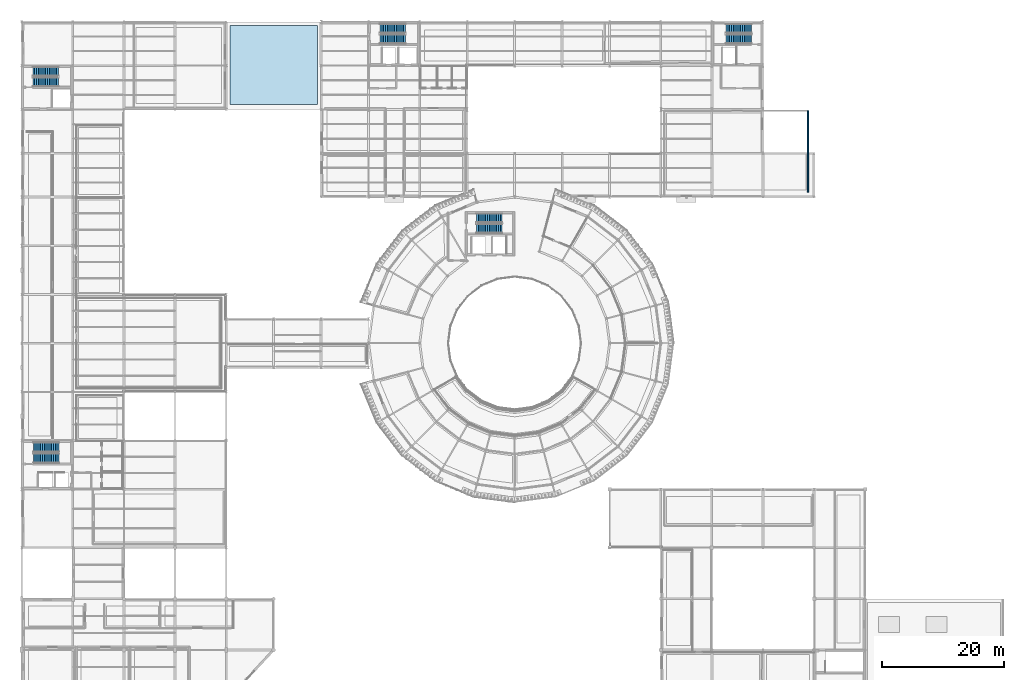
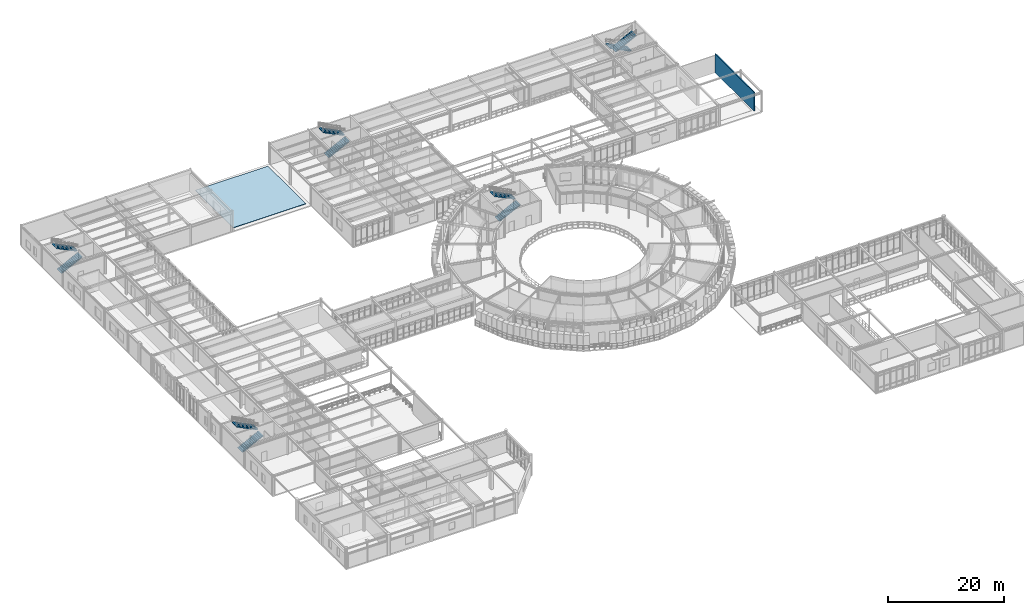
# One storey, part 93 of 106: 10 stair flights, 1 roof, 1 wall, 5 elements without a shape of their own.
"""IFC4 building model written with IfcOpenShell, lengths in metres."""

from ifc_helpers import new_model, si_unit, derived_unit, direction, frame, frame_2d, origin, place, context, subcontext, project, spatial, polyline, rectangle, outline, extrude, material, layer, layer_set, type_object, element, aggregate, save


model = new_model("IFC4")

# Units and contexts
model_context = context("Model", 3, precision=1e-05, world=origin(), true_north=direction((0.0, 1.0)))
body_context = subcontext(model_context, "Body", "Model", "MODEL_VIEW")
ifc_project = project(units=[si_unit("LENGTHUNIT", "METRE"), si_unit("AREAUNIT", "SQUARE_METRE"), si_unit("VOLUMEUNIT", "CUBIC_METRE"), si_unit("PLANEANGLEUNIT", "RADIAN"), si_unit("MASSUNIT", "GRAM", prefix="KILO"), derived_unit("THERMALTRANSMITTANCEUNIT", [(si_unit("POWERUNIT", "WATT"), 1), (si_unit("AREAUNIT", "SQUARE_METRE"), -1), (si_unit("THERMODYNAMICTEMPERATUREUNIT", "KELVIN"), -1)])], contexts=[model_context])

# Site, building, storey
site_placement = place(None, origin())
site = spatial("IfcSite", under=ifc_project, at=site_placement, CompositionType="ELEMENT")
building_placement = place(site_placement, origin())
building = spatial("IfcBuilding", under=site, at=building_placement, Name="Yasenodar Specialist Clinic", CompositionType="ELEMENT")
storey_placement = place(building_placement, frame((0.0, 0.0, 4.5)))
storey = spatial("IfcBuildingStorey", under=building, at=storey_placement, Name="L01", CompositionType="ELEMENT", Elevation=4.5)

# Wall
ifc_material_1 = material(Name="Hygienic Double-Stud Clinical Partition")
ifc_layer = layer(ifc_material_1, 0.179931640625)
ifc_layer_set = layer_set([ifc_layer], Name="Hygienic Double-Stud Clinical Partition")
wall_type = type_object("IfcWallType", Name="IW-PROC-180", PredefinedType="PARTITIONING", material=ifc_layer_set)
wall_placement = place(storey_placement, frame((129.199951171875, 97.0, 0.0), z_axis=(0.0, 0.0, 1.0), x_axis=(0.0, -1.0, 0.0)))
element("IfcWall", 1, at=wall_placement, inside=storey, type_object=wall_type, Name="L01 Pain Block Procedure Suite Partition", PredefinedType="PARTITIONING", context=body_context, shape_type="SweptSolid", body=[
    extrude(rectangle(XDim=13.39990234375, YDim=0.179931640625, at=frame_2d((6.699951171875, 0.0))), origin(), (0.0, 0.0, 1.0), 3.9580078125),
])

# Stair, stair flights
ifc_material_2 = material(Name="Concrete C30/37", Category="concrete")
stair_type_1 = type_object("IfcStairType", Name="ST-DOG-C1-30", PredefinedType="HALF_TURN_STAIR", material=ifc_material_2)
stair_1_placement = place(storey_placement, origin())
stair_1 = element("IfcStair", 2, at=stair_1_placement, inside=storey, type_object=stair_type_1, Name="L01 Core C1 Exit Stair ST-01", PredefinedType="HALF_TURN_STAIR")
stair_flight_type_1 = type_object("IfcStairFlightType", Name="STF-C1-30", PredefinedType="STRAIGHT", material=ifc_material_2)
stair_flight_1_placement = place(storey_placement, frame((1.929931640625, 39.875, 0.0), z_axis=(0.0, 0.0, 1.0), x_axis=(1.0, 0.0, 0.0)))
stair_flight_1 = element("IfcStairFlight", 3, at=stair_flight_1_placement, type_object=stair_flight_type_1, Name="ST-01 flight 1", NumberOfRisers=15, NumberOfTreads=14, PredefinedType="STRAIGHT", RiserHeight=0.15, TreadLength=0.3, context=body_context, shape_type="SweptSolid", body=[
    extrude(outline(polyline([(0.0, 0.0), (0.0, 0.14990234375), (0.300048828125, 0.14990234375), (0.300048828125, 0.300048828125), (0.60009765625, 0.300048828125), (0.60009765625, 0.449951171875), (0.89990234375, 0.449951171875), (0.89990234375, 0.60009765625), (1.199951171875, 0.60009765625), (1.199951171875, 0.75), (1.5, 0.75), (1.5, 0.89990234375), (1.800048828125, 0.89990234375), (1.800048828125, 1.050048828125), (2.10009765625, 1.050048828125), (2.10009765625, 1.199951171875), (2.39990234375, 1.199951171875), (2.39990234375, 1.35009765625), (2.699951171875, 1.35009765625), (2.699951171875, 1.5), (3.0, 1.5), (3.0, 1.64990234375), (3.300048828125, 1.64990234375), (3.300048828125, 1.800048828125), (3.60009765625, 1.800048828125), (3.60009765625, 1.949951171875), (3.89990234375, 1.949951171875), (3.89990234375, 2.10009765625), (4.199951171875, 2.10009765625), (4.199951171875, 2.25), (4.199951171875, 1.921142578125), (0.357666015625, 0.0), (0.0, 0.0)])), frame((0.0, 0.81494140625, 0.0), z_axis=(0.0, -1.0, 0.0), x_axis=(1.0, 0.0, 0.0)), (0.0, 0.0, 1.0), 1.6298828125),
])
stair_flight_2_placement = place(storey_placement, frame((6.1298828125, 41.695068359375, 2.25), z_axis=(0.0, 0.0, 1.0), x_axis=(-1.0, 0.0, 0.0)))
stair_flight_2 = element("IfcStairFlight", 4, at=stair_flight_2_placement, type_object=stair_flight_type_1, Name="ST-01 flight 2", NumberOfRisers=15, NumberOfTreads=14, PredefinedType="STRAIGHT", RiserHeight=0.15, TreadLength=0.3, context=body_context, shape_type="SweptSolid", body=[
    extrude(outline(polyline([(0.0, 0.0), (0.0, 0.14990234375), (0.300048828125, 0.14990234375), (0.300048828125, 0.300048828125), (0.60009765625, 0.300048828125), (0.60009765625, 0.449951171875), (0.89990234375, 0.449951171875), (0.89990234375, 0.60009765625), (1.199951171875, 0.60009765625), (1.199951171875, 0.75), (1.5, 0.75), (1.5, 0.89990234375), (1.800048828125, 0.89990234375), (1.800048828125, 1.050048828125), (2.10009765625, 1.050048828125), (2.10009765625, 1.199951171875), (2.39990234375, 1.199951171875), (2.39990234375, 1.35009765625), (2.699951171875, 1.35009765625), (2.699951171875, 1.5), (3.0, 1.5), (3.0, 1.64990234375), (3.300048828125, 1.64990234375), (3.300048828125, 1.800048828125), (3.60009765625, 1.800048828125), (3.60009765625, 1.949951171875), (3.89990234375, 1.949951171875), (3.89990234375, 2.10009765625), (4.199951171875, 2.10009765625), (4.199951171875, 2.25), (4.199951171875, 1.921142578125), (0.357666015625, 0.0), (0.0, 0.0)])), frame((0.0, 0.81494140625, 0.0), z_axis=(0.0, -1.0, 0.0), x_axis=(1.0, 0.0, 0.0)), (0.0, 0.0, 1.0), 1.6298828125),
])
aggregate(stair_1, [stair_flight_1, stair_flight_2])

stair_type_2 = type_object("IfcStairType", Name="ST-DOG-C2-30", PredefinedType="HALF_TURN_STAIR", material=ifc_material_2)
stair_2_placement = place(storey_placement, origin())
stair_2 = element("IfcStair", 5, at=stair_2_placement, inside=storey, type_object=stair_type_2, Name="L01 Core C2 Exit Stair ST-02", PredefinedType="HALF_TURN_STAIR")
stair_flight_type_2 = type_object("IfcStairFlightType", Name="STF-C2-30", PredefinedType="STRAIGHT", material=ifc_material_2)
stair_flight_3_placement = place(storey_placement, frame((1.840087890625, 101.72998046875, 0.0), z_axis=(0.0, 0.0, 1.0), x_axis=(1.0, 0.0, 0.0)))
stair_flight_3 = element("IfcStairFlight", 6, at=stair_flight_3_placement, type_object=stair_flight_type_2, Name="ST-02 flight 1", NumberOfRisers=15, NumberOfTreads=14, PredefinedType="STRAIGHT", RiserHeight=0.15, TreadLength=0.3, context=body_context, shape_type="SweptSolid", body=[
    extrude(outline(polyline([(0.0, 0.0), (0.0, 0.14990234375), (0.300048828125, 0.14990234375), (0.300048828125, 0.300048828125), (0.60009765625, 0.300048828125), (0.60009765625, 0.449951171875), (0.89990234375, 0.449951171875), (0.89990234375, 0.60009765625), (1.199951171875, 0.60009765625), (1.199951171875, 0.75), (1.5, 0.75), (1.5, 0.89990234375), (1.800048828125, 0.89990234375), (1.800048828125, 1.050048828125), (2.10009765625, 1.050048828125), (2.10009765625, 1.199951171875), (2.39990234375, 1.199951171875), (2.39990234375, 1.35009765625), (2.699951171875, 1.35009765625), (2.699951171875, 1.5), (3.0, 1.5), (3.0, 1.64990234375), (3.300048828125, 1.64990234375), (3.300048828125, 1.800048828125), (3.60009765625, 1.800048828125), (3.60009765625, 1.949951171875), (3.89990234375, 1.949951171875), (3.89990234375, 2.10009765625), (4.199951171875, 2.10009765625), (4.199951171875, 2.25), (4.199951171875, 1.921142578125), (0.357666015625, 0.0), (0.0, 0.0)])), frame((0.0, 0.77001953125, 0.0), z_axis=(0.0, -1.0, 0.0), x_axis=(1.0, 0.0, 0.0)), (0.0, 0.0, 1.0), 1.5400390625),
])
stair_flight_4_placement = place(storey_placement, frame((6.0400390625, 103.429931640625, 2.25), z_axis=(0.0, 0.0, 1.0), x_axis=(-1.0, 0.0, 0.0)))
stair_flight_4 = element("IfcStairFlight", 7, at=stair_flight_4_placement, type_object=stair_flight_type_2, Name="ST-02 flight 2", NumberOfRisers=15, NumberOfTreads=14, PredefinedType="STRAIGHT", RiserHeight=0.15, TreadLength=0.3, context=body_context, shape_type="SweptSolid", body=[
    extrude(outline(polyline([(0.0, 0.0), (0.0, 0.14990234375), (0.300048828125, 0.14990234375), (0.300048828125, 0.300048828125), (0.60009765625, 0.300048828125), (0.60009765625, 0.449951171875), (0.89990234375, 0.449951171875), (0.89990234375, 0.60009765625), (1.199951171875, 0.60009765625), (1.199951171875, 0.75), (1.5, 0.75), (1.5, 0.89990234375), (1.800048828125, 0.89990234375), (1.800048828125, 1.050048828125), (2.10009765625, 1.050048828125), (2.10009765625, 1.199951171875), (2.39990234375, 1.199951171875), (2.39990234375, 1.35009765625), (2.699951171875, 1.35009765625), (2.699951171875, 1.5), (3.0, 1.5), (3.0, 1.64990234375), (3.300048828125, 1.64990234375), (3.300048828125, 1.800048828125), (3.60009765625, 1.800048828125), (3.60009765625, 1.949951171875), (3.89990234375, 1.949951171875), (3.89990234375, 2.10009765625), (4.199951171875, 2.10009765625), (4.199951171875, 2.25), (4.199951171875, 1.921142578125), (0.357666015625, 0.0), (0.0, 0.0)])), frame((0.0, 0.77001953125, 0.0), z_axis=(0.0, -1.0, 0.0), x_axis=(1.0, 0.0, 0.0)), (0.0, 0.0, 1.0), 1.5400390625),
])
aggregate(stair_2, [stair_flight_3, stair_flight_4])

stair_3_placement = place(storey_placement, origin())
stair_3 = element("IfcStair", 8, at=stair_3_placement, inside=storey, type_object=stair_type_2, Name="L01 Core C3 Exit Stair ST-03", PredefinedType="HALF_TURN_STAIR")
stair_flight_5_placement = place(storey_placement, frame((74.739990234375, 77.6298828125, 0.0), z_axis=(0.0, 0.0, 1.0), x_axis=(1.0, 0.0, 0.0)))
stair_flight_5 = element("IfcStairFlight", 9, at=stair_flight_5_placement, type_object=stair_flight_type_2, Name="ST-03 flight 1", NumberOfRisers=15, NumberOfTreads=14, PredefinedType="STRAIGHT", RiserHeight=0.15, TreadLength=0.3, context=body_context, shape_type="SweptSolid", body=[
    extrude(outline(polyline([(0.0, 0.0), (0.0, 0.14990234375), (0.300048828125, 0.14990234375), (0.300048828125, 0.300048828125), (0.60009765625, 0.300048828125), (0.60009765625, 0.449951171875), (0.89990234375, 0.449951171875), (0.89990234375, 0.60009765625), (1.199951171875, 0.60009765625), (1.199951171875, 0.75), (1.5, 0.75), (1.5, 0.89990234375), (1.800048828125, 0.89990234375), (1.800048828125, 1.050048828125), (2.10009765625, 1.050048828125), (2.10009765625, 1.199951171875), (2.39990234375, 1.199951171875), (2.39990234375, 1.35009765625), (2.699951171875, 1.35009765625), (2.699951171875, 1.5), (3.0, 1.5), (3.0, 1.64990234375), (3.300048828125, 1.64990234375), (3.300048828125, 1.800048828125), (3.60009765625, 1.800048828125), (3.60009765625, 1.949951171875), (3.89990234375, 1.949951171875), (3.89990234375, 2.10009765625), (4.199951171875, 2.10009765625), (4.199951171875, 2.25), (4.199951171875, 1.921142578125), (0.357666015625, 0.0), (0.0, 0.0)])), frame((0.0, 0.77001953125, 0.0), z_axis=(0.0, -1.0, 0.0), x_axis=(1.0, 0.0, 0.0)), (0.0, 0.0, 1.0), 1.5400390625),
])
stair_flight_6_placement = place(storey_placement, frame((78.93994140625, 79.340087890625, 2.25), z_axis=(0.0, 0.0, 1.0), x_axis=(-1.0, 0.0, 0.0)))
stair_flight_6 = element("IfcStairFlight", 10, at=stair_flight_6_placement, type_object=stair_flight_type_2, Name="ST-03 flight 2", NumberOfRisers=15, NumberOfTreads=14, PredefinedType="STRAIGHT", RiserHeight=0.15, TreadLength=0.3, context=body_context, shape_type="SweptSolid", body=[
    extrude(outline(polyline([(0.0, 0.0), (0.0, 0.14990234375), (0.300048828125, 0.14990234375), (0.300048828125, 0.300048828125), (0.60009765625, 0.300048828125), (0.60009765625, 0.449951171875), (0.89990234375, 0.449951171875), (0.89990234375, 0.60009765625), (1.199951171875, 0.60009765625), (1.199951171875, 0.75), (1.5, 0.75), (1.5, 0.89990234375), (1.800048828125, 0.89990234375), (1.800048828125, 1.050048828125), (2.10009765625, 1.050048828125), (2.10009765625, 1.199951171875), (2.39990234375, 1.199951171875), (2.39990234375, 1.35009765625), (2.699951171875, 1.35009765625), (2.699951171875, 1.5), (3.0, 1.5), (3.0, 1.64990234375), (3.300048828125, 1.64990234375), (3.300048828125, 1.800048828125), (3.60009765625, 1.800048828125), (3.60009765625, 1.949951171875), (3.89990234375, 1.949951171875), (3.89990234375, 2.10009765625), (4.199951171875, 2.10009765625), (4.199951171875, 2.25), (4.199951171875, 1.921142578125), (0.357666015625, 0.0), (0.0, 0.0)])), frame((0.0, 0.77001953125, 0.0), z_axis=(0.0, -1.0, 0.0), x_axis=(1.0, 0.0, 0.0)), (0.0, 0.0, 1.0), 1.5400390625),
])
aggregate(stair_3, [stair_flight_5, stair_flight_6])

stair_type_3 = type_object("IfcStairType", Name="ST-DOG-C4-30", PredefinedType="HALF_TURN_STAIR", material=ifc_material_2)
stair_4_placement = place(storey_placement, origin())
stair_4 = element("IfcStair", 11, at=stair_4_placement, inside=storey, type_object=stair_type_3, Name="L01 Core C4 Exit Stair ST-04", PredefinedType="HALF_TURN_STAIR")
stair_flight_type_3 = type_object("IfcStairFlightType", Name="STF-C4-30", PredefinedType="STRAIGHT", material=ifc_material_2)
stair_flight_7_placement = place(storey_placement, frame((58.8701171875, 108.794921875, 0.0), z_axis=(0.0, 0.0, 1.0), x_axis=(1.0, 0.0, 0.0)))
stair_flight_7 = element("IfcStairFlight", 12, at=stair_flight_7_placement, type_object=stair_flight_type_3, Name="ST-04 flight 1", NumberOfRisers=15, NumberOfTreads=14, PredefinedType="STRAIGHT", RiserHeight=0.15, TreadLength=0.3, context=body_context, shape_type="SweptSolid", body=[
    extrude(outline(polyline([(0.0, 0.0), (0.0, 0.14990234375), (0.300048828125, 0.14990234375), (0.300048828125, 0.300048828125), (0.60009765625, 0.300048828125), (0.60009765625, 0.449951171875), (0.89990234375, 0.449951171875), (0.89990234375, 0.60009765625), (1.199951171875, 0.60009765625), (1.199951171875, 0.75), (1.5, 0.75), (1.5, 0.89990234375), (1.800048828125, 0.89990234375), (1.800048828125, 1.050048828125), (2.10009765625, 1.050048828125), (2.10009765625, 1.199951171875), (2.39990234375, 1.199951171875), (2.39990234375, 1.35009765625), (2.699951171875, 1.35009765625), (2.699951171875, 1.5), (3.0, 1.5), (3.0, 1.64990234375), (3.300048828125, 1.64990234375), (3.300048828125, 1.800048828125), (3.60009765625, 1.800048828125), (3.60009765625, 1.949951171875), (3.89990234375, 1.949951171875), (3.89990234375, 2.10009765625), (4.199951171875, 2.10009765625), (4.199951171875, 2.25), (4.199951171875, 1.921142578125), (0.357666015625, 0.0), (0.0, 0.0)])), frame((0.0, 0.78515625, 0.0), z_axis=(0.0, -1.0, 0.0), x_axis=(1.0, 0.0, 0.0)), (0.0, 0.0, 1.0), 1.570068359375),
])
stair_flight_8_placement = place(storey_placement, frame((63.070068359375, 110.52490234375, 2.25), z_axis=(0.0, 0.0, 1.0), x_axis=(-1.0, 0.0, 0.0)))
stair_flight_8 = element("IfcStairFlight", 13, at=stair_flight_8_placement, type_object=stair_flight_type_3, Name="ST-04 flight 2", NumberOfRisers=15, NumberOfTreads=14, PredefinedType="STRAIGHT", RiserHeight=0.15, TreadLength=0.3, context=body_context, shape_type="SweptSolid", body=[
    extrude(outline(polyline([(0.0, 0.0), (0.0, 0.14990234375), (0.300048828125, 0.14990234375), (0.300048828125, 0.300048828125), (0.60009765625, 0.300048828125), (0.60009765625, 0.449951171875), (0.89990234375, 0.449951171875), (0.89990234375, 0.60009765625), (1.199951171875, 0.60009765625), (1.199951171875, 0.75), (1.5, 0.75), (1.5, 0.89990234375), (1.800048828125, 0.89990234375), (1.800048828125, 1.050048828125), (2.10009765625, 1.050048828125), (2.10009765625, 1.199951171875), (2.39990234375, 1.199951171875), (2.39990234375, 1.35009765625), (2.699951171875, 1.35009765625), (2.699951171875, 1.5), (3.0, 1.5), (3.0, 1.64990234375), (3.300048828125, 1.64990234375), (3.300048828125, 1.800048828125), (3.60009765625, 1.800048828125), (3.60009765625, 1.949951171875), (3.89990234375, 1.949951171875), (3.89990234375, 2.10009765625), (4.199951171875, 2.10009765625), (4.199951171875, 2.25), (4.199951171875, 1.921142578125), (0.357666015625, 0.0), (0.0, 0.0)])), frame((0.0, 0.78515625, 0.0), z_axis=(0.0, -1.0, 0.0), x_axis=(1.0, 0.0, 0.0)), (0.0, 0.0, 1.0), 1.570068359375),
])
aggregate(stair_4, [stair_flight_7, stair_flight_8])

stair_5_placement = place(storey_placement, origin())
stair_5 = element("IfcStair", 14, at=stair_5_placement, inside=storey, type_object=stair_type_3, Name="L01 Core C5 Exit Stair ST-05", PredefinedType="HALF_TURN_STAIR")
stair_flight_9_placement = place(storey_placement, frame((119.929931640625, 110.52490234375, 0.0), z_axis=(0.0, 0.0, 1.0), x_axis=(-1.0, 0.0, 0.0)))
stair_flight_9 = element("IfcStairFlight", 15, at=stair_flight_9_placement, type_object=stair_flight_type_3, Name="ST-05 flight 1", NumberOfRisers=15, NumberOfTreads=14, PredefinedType="STRAIGHT", RiserHeight=0.15, TreadLength=0.3, context=body_context, shape_type="SweptSolid", body=[
    extrude(outline(polyline([(0.0, 0.0), (0.0, 0.14990234375), (0.300048828125, 0.14990234375), (0.300048828125, 0.300048828125), (0.60009765625, 0.300048828125), (0.60009765625, 0.449951171875), (0.89990234375, 0.449951171875), (0.89990234375, 0.60009765625), (1.199951171875, 0.60009765625), (1.199951171875, 0.75), (1.5, 0.75), (1.5, 0.89990234375), (1.800048828125, 0.89990234375), (1.800048828125, 1.050048828125), (2.10009765625, 1.050048828125), (2.10009765625, 1.199951171875), (2.39990234375, 1.199951171875), (2.39990234375, 1.35009765625), (2.699951171875, 1.35009765625), (2.699951171875, 1.5), (3.0, 1.5), (3.0, 1.64990234375), (3.300048828125, 1.64990234375), (3.300048828125, 1.800048828125), (3.60009765625, 1.800048828125), (3.60009765625, 1.949951171875), (3.89990234375, 1.949951171875), (3.89990234375, 2.10009765625), (4.199951171875, 2.10009765625), (4.199951171875, 2.25), (4.199951171875, 1.921142578125), (0.357666015625, 0.0), (0.0, 0.0)])), frame((0.0, 0.78515625, 0.0), z_axis=(0.0, -1.0, 0.0), x_axis=(1.0, 0.0, 0.0)), (0.0, 0.0, 1.0), 1.570068359375),
])
stair_flight_10_placement = place(storey_placement, frame((115.72998046875, 108.794921875, 2.25), z_axis=(0.0, 0.0, 1.0), x_axis=(1.0, 0.0, 0.0)))
stair_flight_10 = element("IfcStairFlight", 16, at=stair_flight_10_placement, type_object=stair_flight_type_3, Name="ST-05 flight 2", NumberOfRisers=15, NumberOfTreads=14, PredefinedType="STRAIGHT", RiserHeight=0.15, TreadLength=0.3, context=body_context, shape_type="SweptSolid", body=[
    extrude(outline(polyline([(0.0, 0.0), (0.0, 0.14990234375), (0.300048828125, 0.14990234375), (0.300048828125, 0.300048828125), (0.60009765625, 0.300048828125), (0.60009765625, 0.449951171875), (0.89990234375, 0.449951171875), (0.89990234375, 0.60009765625), (1.199951171875, 0.60009765625), (1.199951171875, 0.75), (1.5, 0.75), (1.5, 0.89990234375), (1.800048828125, 0.89990234375), (1.800048828125, 1.050048828125), (2.10009765625, 1.050048828125), (2.10009765625, 1.199951171875), (2.39990234375, 1.199951171875), (2.39990234375, 1.35009765625), (2.699951171875, 1.35009765625), (2.699951171875, 1.5), (3.0, 1.5), (3.0, 1.64990234375), (3.300048828125, 1.64990234375), (3.300048828125, 1.800048828125), (3.60009765625, 1.800048828125), (3.60009765625, 1.949951171875), (3.89990234375, 1.949951171875), (3.89990234375, 2.10009765625), (4.199951171875, 2.10009765625), (4.199951171875, 2.25), (4.199951171875, 1.921142578125), (0.357666015625, 0.0), (0.0, 0.0)])), frame((0.0, 0.78515625, 0.0), z_axis=(0.0, -1.0, 0.0), x_axis=(1.0, 0.0, 0.0)), (0.0, 0.0, 1.0), 1.570068359375),
])
aggregate(stair_5, [stair_flight_9, stair_flight_10])

# Roof
ifc_material_3 = material(Name="Standing-Seam Zinc and Steel S355", Category="steel")
roof_type = type_object("IfcRoofType", Name="RF-PAVILION", PredefinedType="PAVILION_ROOF", material=ifc_material_3)
roof_placement = place(storey_placement, origin())
element("IfcRoof", 17, at=roof_placement, inside=storey, type_object=roof_type, Name="North Link Pavilion Roof", PredefinedType="PAVILION_ROOF", context=body_context, shape_type="SweptSolid", body=[
    extrude(outline(polyline([(34.199951171875, 98.0), (48.60009765625, 98.0), (48.60009765625, 111.0), (34.199951171875, 111.0), (34.199951171875, 98.0)])), origin(), (0.0, 0.0, 1.0), 0.080078125),
])

save(model, "model.ifc")
